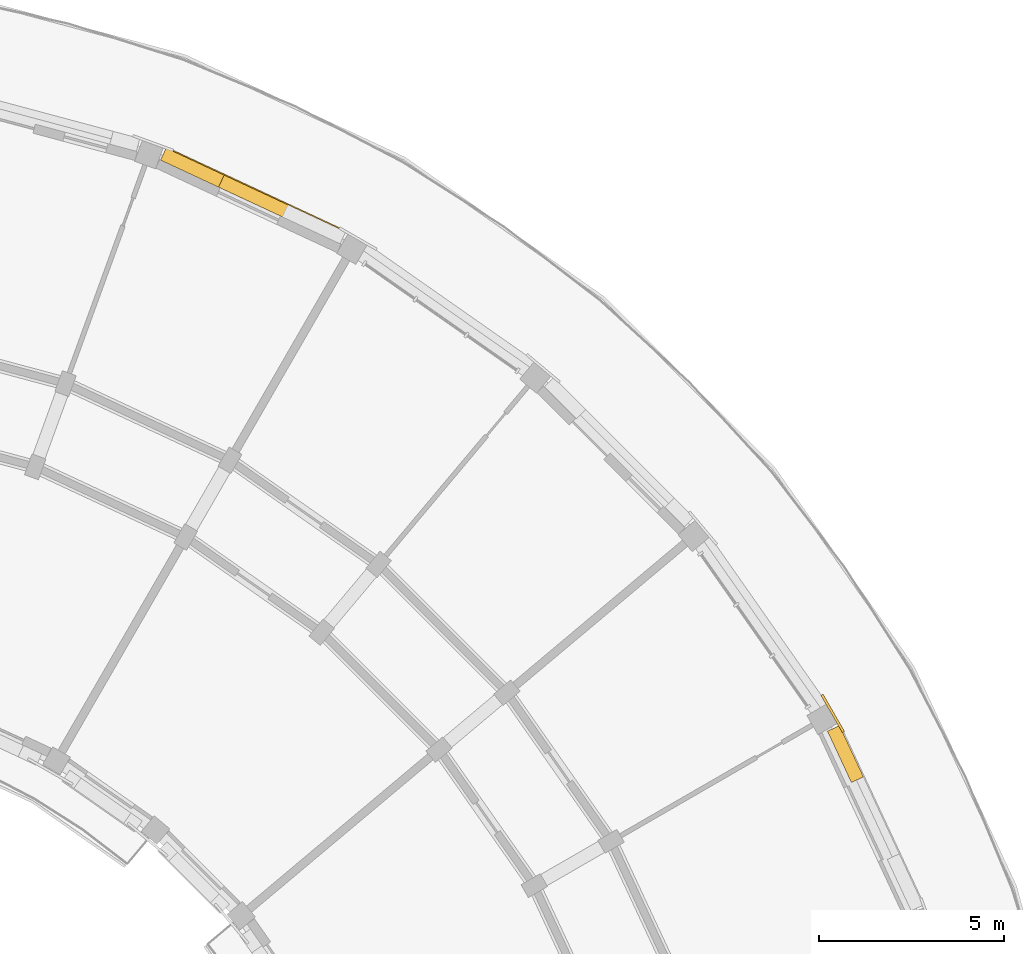
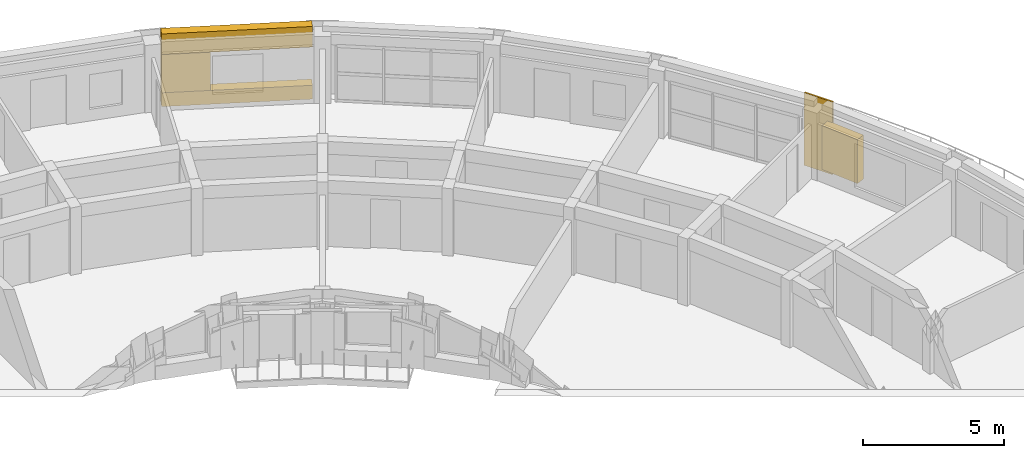
# One storey, part 32 of 32: 5 coverings.
"""IFC4 building model written with IfcOpenShell, lengths in metres."""

from ifc_helpers import new_model, si_unit, direction, frame, origin, place, context, subcontext, project, spatial, polyline, outline, extrude, material, layer, layer_set, type_object, element, save


model = new_model("IFC4")

# Units and contexts
model_context = context("Model", 3, precision=1e-05, world=origin(), true_north=direction((0.0, 1.0)))
body_context = subcontext(model_context, "Body", "Model", "MODEL_VIEW")
ifc_project = project(units=[si_unit("LENGTHUNIT", "METRE"), si_unit("AREAUNIT", "SQUARE_METRE"), si_unit("VOLUMEUNIT", "CUBIC_METRE"), si_unit("PLANEANGLEUNIT", "RADIAN"), si_unit("MASSUNIT", "GRAM", prefix="KILO")], contexts=[model_context])

# Site, building, storey
site_placement = place(None, origin())
site = spatial("IfcSite", under=ifc_project, at=site_placement, CompositionType="ELEMENT")
building_placement = place(site_placement, origin())
building = spatial("IfcBuilding", under=site, at=building_placement, Name="Kiranvali Square Residences", CompositionType="ELEMENT")
storey_placement = place(building_placement, frame((0.0, 0.0, 40.199951171875)))
storey = spatial("IfcBuildingStorey", under=building, at=storey_placement, Name="L12", CompositionType="ELEMENT", Elevation=40.199951171875)

# Coverings
ifc_material = material(Name="Honed Porbandar limestone ashlar facade cladding", Category="masonry")
ifc_layer_1 = layer(ifc_material, 0.3798828125)
ifc_layer_set_1 = layer_set([ifc_layer_1], Name="Honed Porbandar limestone ashlar facade cladding")
covering_type_1 = type_object("IfcCoveringType", Name="COV-CLAD-JAMB", PredefinedType="CLADDING", material=ifc_layer_set_1)
covering_1_placement = place(storey_placement, frame((0.0, 0.0, 0.60205078125)))
element("IfcCovering", 1, at=covering_1_placement, inside=storey, type_object=covering_type_1, Name="L12 deep limestone window jamb reveal B-L12-CRV-02.L", PredefinedType="CLADDING", context=body_context, shape_type="SweptSolid", body=[
    extrude(outline(polyline([(132.019775390625, 120.353759765625), (133.59033203125, 119.621337890625), (133.7421875, 119.947265625), (132.171630859375, 120.6796875), (132.019775390625, 120.353759765625)])), origin(), (0.0, 0.0, 1.0), 1.64990234375),
])
covering_2_placement = place(storey_placement, frame((0.0, 0.0, 0.35205078125)))
element("IfcCovering", 2, at=covering_2_placement, inside=storey, type_object=covering_type_1, Name="L12 deep limestone window jamb reveal B-L12-CRV-06.L", PredefinedType="CLADDING", context=body_context, shape_type="SweptSolid", body=[
    extrude(outline(polyline([(150.0859375, 104.883056640625), (150.73388671875, 103.49365234375), (151.059814453125, 103.6455078125), (150.411865234375, 105.034912109375), (150.0859375, 104.883056640625)])), origin(), (0.0, 0.0, 1.0), 1.89990234375),
])
ifc_layer_2 = layer(ifc_material, 0.06494140625)
ifc_layer_set_2 = layer_set([ifc_layer_2], Name="Honed Porbandar limestone ashlar facade cladding")
covering_type_2 = type_object("IfcCoveringType", Name="COV-CLAD-PIER", PredefinedType="CLADDING", material=ifc_layer_set_2)
covering_3_placement = place(storey_placement, frame((0.0, 0.0, 0.005126953125)))
element("IfcCovering", 3, at=covering_3_placement, inside=storey, type_object=covering_type_2, Name="L12 Classical limestone corner pilaster CLAD-PR-B-L12-A06", PredefinedType="CLADDING", context=body_context, shape_type="SweptSolid", body=[
    extrude(outline(polyline([(150.54638671875, 104.881591796875), (149.96630859375, 105.88623046875), (149.907958984375, 105.8525390625), (150.488037109375, 104.847900390625), (150.54638671875, 104.881591796875)])), origin(), (0.0, 0.0, 1.0), 3.139892578125),
])
ifc_layer_3 = layer(ifc_material, 0.360107421875)
ifc_layer_set_3 = layer_set([ifc_layer_3], Name="Honed Porbandar limestone ashlar facade cladding")
covering_type_3 = type_object("IfcCoveringType", Name="COV-CLAD-WALL", PredefinedType="CLADDING", material=ifc_layer_set_3)
covering_4_placement = place(storey_placement, frame((0.0, 0.0, 2.251953125)))
element("IfcCovering", 4, at=covering_4_placement, inside=storey, type_object=covering_type_3, Name="L12 light limestone spandrel lintel B-L12-CRV-02", PredefinedType="CLADDING", context=body_context, shape_type="SweptSolid", body=[
    extrude(outline(polyline([(132.019775390625, 120.353759765625), (136.883056640625, 118.0859375), (137.034912109375, 118.411865234375), (132.171630859375, 120.6796875), (132.019775390625, 120.353759765625)])), origin(), (0.0, 0.0, 1.0), 0.89306640625),
])
ifc_layer_4 = layer(ifc_material, 0.320068359375)
ifc_layer_set_4 = layer_set([ifc_layer_4], Name="Honed Porbandar limestone ashlar facade cladding")
covering_type_4 = type_object("IfcCoveringType", Name="COV-CLAD-WALL-UP", PredefinedType="CLADDING", material=ifc_layer_set_4)
covering_5_placement = place(storey_placement, frame((0.0, 0.0, 0.005126953125)))
element("IfcCovering", 5, at=covering_5_placement, inside=storey, type_object=covering_type_4, Name="L12 limestone window sill apron B-L12-CRV-02", PredefinedType="CLADDING", context=body_context, shape_type="SweptSolid", body=[
    extrude(outline(polyline([(132.019775390625, 120.353759765625), (136.883056640625, 118.0859375), (137.047607421875, 118.43896484375), (132.184326171875, 120.706787109375), (132.019775390625, 120.353759765625)])), origin(), (0.0, 0.0, 1.0), 0.596923828125),
])

save(model, "model.ifc")
